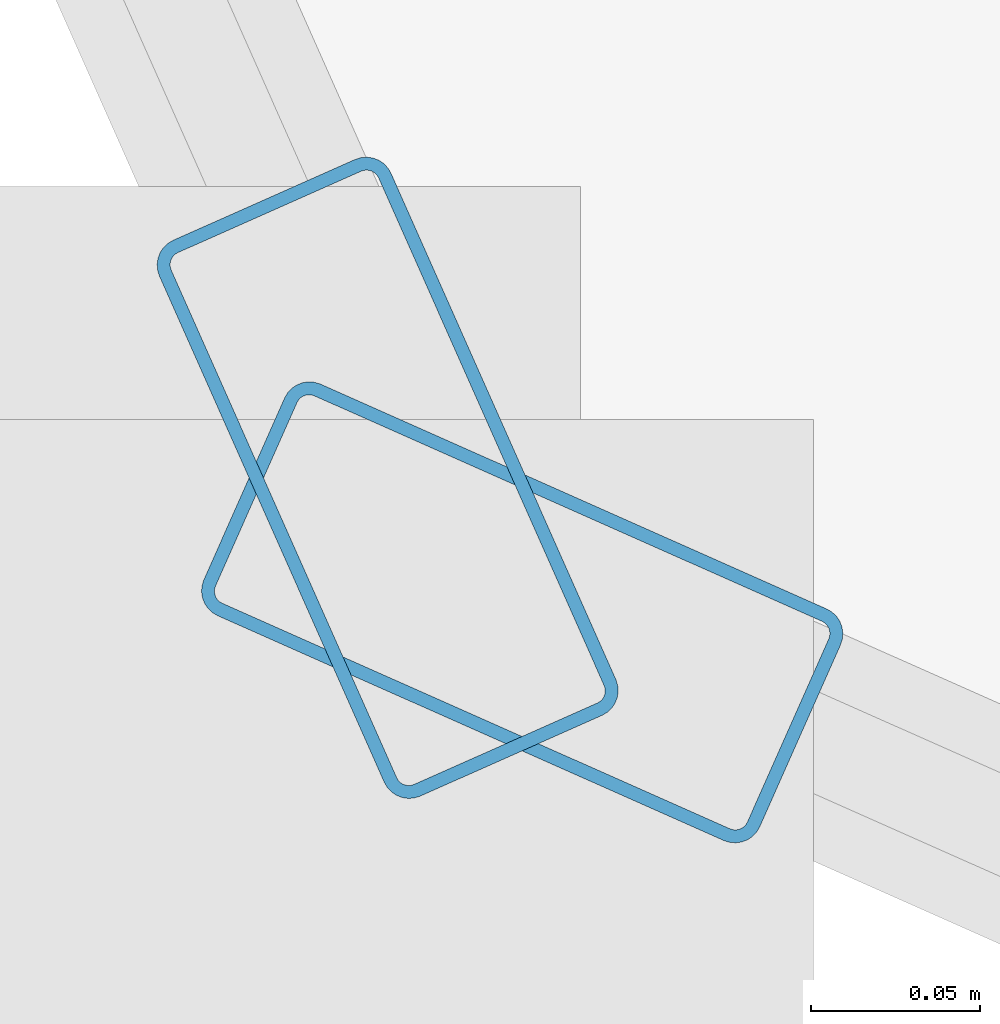
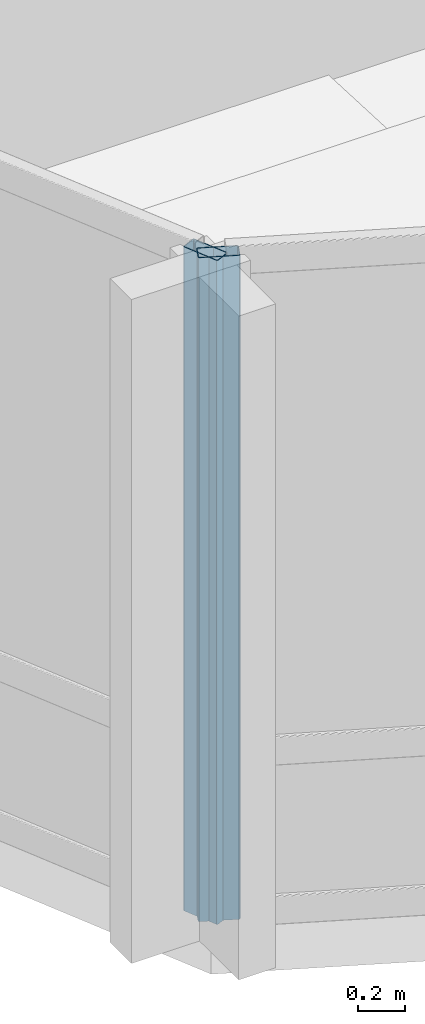
# One storey, part 2 of 34: 2 members, 2 elements without a shape of their own.
"""IFC4 building model written with IfcOpenShell, lengths in metres."""

from ifc_helpers import new_model, si_unit, direction, frame, origin, origin_2d, place, context, subcontext, project, spatial, hollow_rectangle, extrude, material, layer, layer_set, material_profile, profile_set, type_object, element, aggregate, save


model = new_model("IFC4")

# Units and contexts
model_context = context("Model", 3, precision=1e-05, world=origin(), true_north=direction((0.0, 1.0)))
body_context = subcontext(model_context, "Body", "Model", "MODEL_VIEW")
ifc_project = project(units=[si_unit("LENGTHUNIT", "METRE"), si_unit("AREAUNIT", "SQUARE_METRE"), si_unit("VOLUMEUNIT", "CUBIC_METRE"), si_unit("PLANEANGLEUNIT", "RADIAN"), si_unit("MASSUNIT", "GRAM", prefix="KILO")], contexts=[model_context])

# Site, building, storey
site_placement = place(None, origin())
site = spatial("IfcSite", under=ifc_project, at=site_placement, CompositionType="ELEMENT")
building_placement = place(site_placement, origin())
building = spatial("IfcBuilding", under=site, at=building_placement, Name="Solvaryn Broadcast Tower", CompositionType="ELEMENT")
storey_placement = place(building_placement, frame((0.0, 0.0, 58.199951171875)))
storey = spatial("IfcBuildingStorey", under=building, at=storey_placement, Name="L13", CompositionType="ELEMENT", Elevation=58.199951171875)

# Curtain wall, member
ifc_material_1 = material(Name="Aluminium and Terracotta Unitised Curtain Wall", Category="masonry")
ifc_layer_1 = layer(ifc_material_1, 0.239990234375)
ifc_layer_set_1 = layer_set([ifc_layer_1], Name="CW-SYS3-BAYBOX")
curtain_wall_type_1 = type_object("IfcCurtainWallType", Name="CW-SYS3-BAYBOX", PredefinedType="NOTDEFINED", material=ifc_layer_set_1)
curtain_wall_1_placement = place(storey_placement, origin())
curtain_wall_1 = element("IfcCurtainWall", 1, at=curtain_wall_1_placement, inside=storey, type_object=curtain_wall_type_1, Name="L13 Curtain Wall DR2", PredefinedType="NOTDEFINED")
ifc_material_2 = material(Name="Anodised Aluminium 6063-T6", Category="aluminium")
ifc_material_profile = material_profile(ifc_material_2, hollow_rectangle(XDim=0.074951171875, YDim=0.179931640625, WallThickness=0.00390625, InnerFilletRadius=0.00390625, OuterFilletRadius=0.008056640625, at=origin_2d()))
ifc_profile_set = profile_set([ifc_material_profile], Name="Anodised Aluminium 6063-T6")
member_type = type_object("IfcMemberType", Name="CW-MUL-180", PredefinedType="MULLION", material=ifc_profile_set)
member_1_placement = place(storey_placement, frame((7.834716796875, 7.87451171875, 0.0), z_axis=(0.0, 0.0, 1.0), x_axis=(0.913918257271, 0.405898286554, 0.0)))
member_1 = element("IfcMember", 2, at=member_1_placement, type_object=member_type, Name="CWS3 mullion 2", PredefinedType="MULLION", context=body_context, shape_type="SweptSolid", body=[
    extrude(hollow_rectangle(XDim=0.074951171875, YDim=0.179931640625, WallThickness=0.00390625, InnerFilletRadius=0.00390625, OuterFilletRadius=0.008056640625, at=origin_2d()), origin(), (0.0, 0.0, 1.0), 3.420166015625),
])
aggregate(curtain_wall_1, [member_1])

ifc_material_3 = material(Name="Aluminium and Terracotta Unitised Curtain Wall", Category="masonry")
ifc_layer_2 = layer(ifc_material_3, 0.199951171875)
ifc_layer_set_2 = layer_set([ifc_layer_2], Name="CW-SYS2-LOWMID")
curtain_wall_type_2 = type_object("IfcCurtainWallType", Name="CW-SYS2-LOWMID", PredefinedType="NOTDEFINED", material=ifc_layer_set_2)
curtain_wall_2_placement = place(storey_placement, origin())
curtain_wall_2 = element("IfcCurtainWall", 3, at=curtain_wall_2_placement, inside=storey, type_object=curtain_wall_type_2, Name="L13 Curtain Wall DR3", PredefinedType="NOTDEFINED")
member_2_placement = place(storey_placement, frame((7.87451171875, 7.834716796875, 0.0), z_axis=(0.0, 0.0, 1.0), x_axis=(0.405898286554, 0.913918257271, 0.0)))
member_2 = element("IfcMember", 4, at=member_2_placement, type_object=member_type, Name="CWS2 mullion 1", PredefinedType="MULLION", context=body_context, shape_type="SweptSolid", body=[
    extrude(hollow_rectangle(XDim=0.074951171875, YDim=0.179931640625, WallThickness=0.00390625, InnerFilletRadius=0.00390625, OuterFilletRadius=0.008056640625, at=origin_2d()), origin(), (0.0, 0.0, 1.0), 3.420166015625),
])
aggregate(curtain_wall_2, [member_2])

save(model, "model.ifc")
